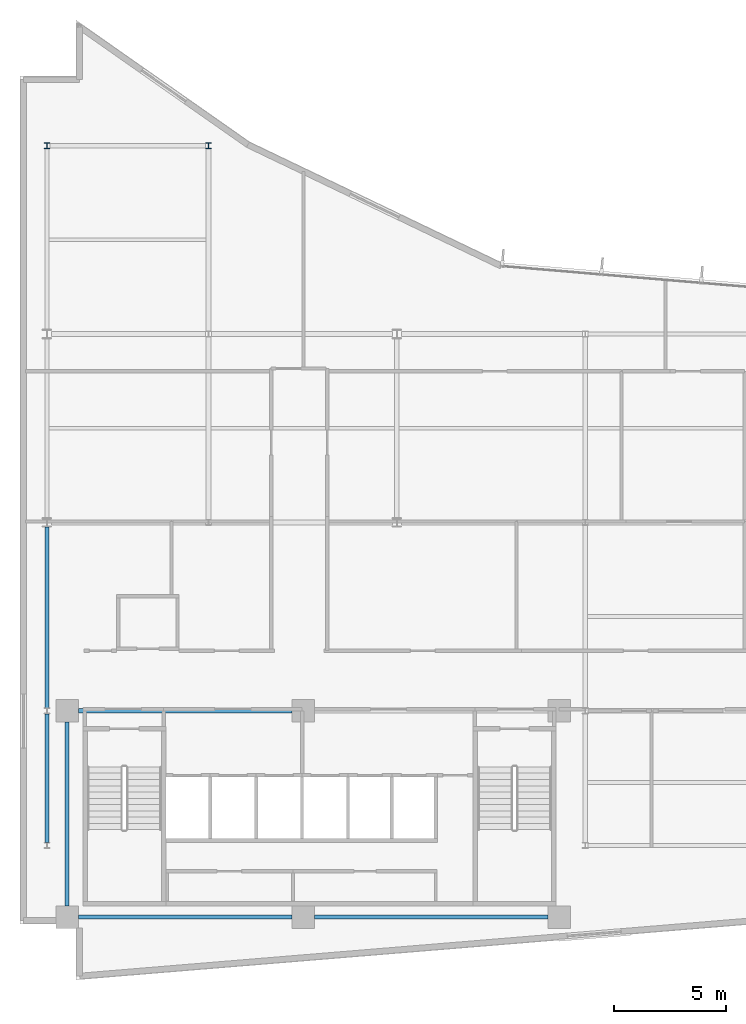
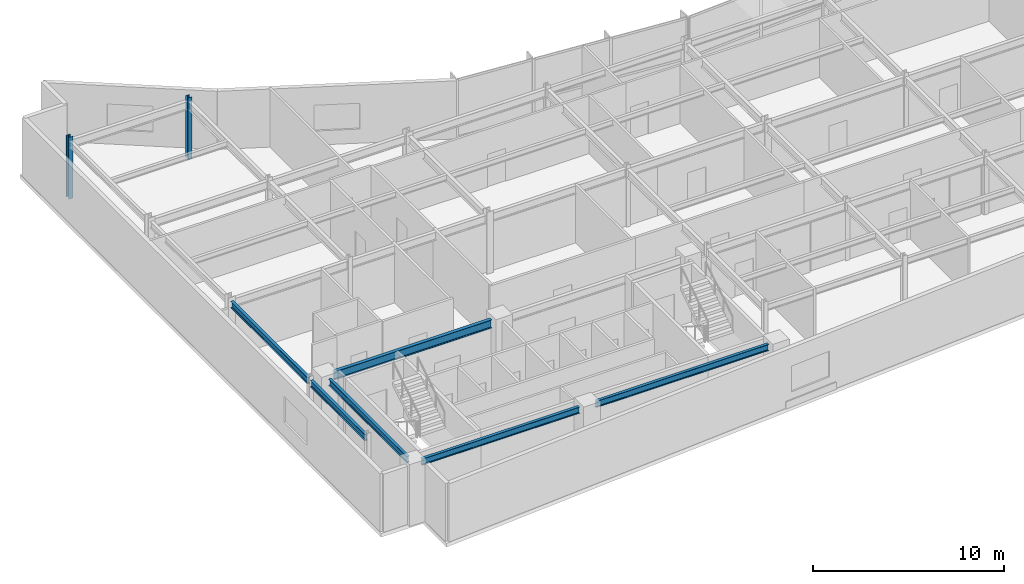
# One storey, part 3 of 14: 6 beams, 2 columns.
"""IFC4 building model written with IfcOpenShell, lengths in metres."""

from ifc_helpers import new_model, si_unit, direction, frame, origin, origin_2d, place, context, subcontext, project, spatial, i_section, extrude, material, material_profile, profile_set, type_object, element, save


model = new_model("IFC4")

# Units and contexts
model_context = context("Model", 3, precision=1e-05, world=origin(), true_north=direction((0.0, 1.0)))
body_context = subcontext(model_context, "Body", "Model", "MODEL_VIEW")
ifc_project = project(units=[si_unit("LENGTHUNIT", "METRE"), si_unit("AREAUNIT", "SQUARE_METRE"), si_unit("VOLUMEUNIT", "CUBIC_METRE"), si_unit("PLANEANGLEUNIT", "RADIAN"), si_unit("MASSUNIT", "GRAM", prefix="KILO")], contexts=[model_context])

# Site, building, storey
site_placement = place(None, origin())
site = spatial("IfcSite", under=ifc_project, at=site_placement, CompositionType="ELEMENT")
building_placement = place(site_placement, origin())
building = spatial("IfcBuilding", under=site, at=building_placement, Name="Varnakote Quay Hospital", CompositionType="ELEMENT")
storey_placement = place(building_placement, frame((0.0, 0.0, 211.85009765625)))
storey = spatial("IfcBuildingStorey", under=building, at=storey_placement, Name="L52", CompositionType="ELEMENT", Elevation=211.85009765625)

# Columns
ifc_material_1 = material(Name="Structural steel AS/NZS 3679.1 Grade 350 L0 (fy 340 MPa)", Category="steel")
ifc_material_profile_1 = material_profile(ifc_material_1, i_section(OverallWidth=0.256103515625, OverallDepth=0.260009765625, WebThickness=0.010498046875, FlangeThickness=0.017333984375, FilletRadius=0.0126953125, at=origin_2d()), Name="250UC89.5")
ifc_profile_set_1 = profile_set([ifc_material_profile_1], Name="Structural steel AS/NZS 3679.1 Grade 350 L0 (fy 340 MPa)")
column_type = type_object("IfcColumnType", Name="COL-STL-250UC89-5", PredefinedType="COLUMN", material=ifc_profile_set_1)
for number, where, z_axis, x_axis, name in (
    (1, (1.199951171875, 37.199951171875, 0.0), (0.0, 0.0, 1.0), (1.0, 0.0, 0.0), "L52 Structural Column C-1-37"),
    (2, (8.39990234375, 37.199951171875, 0.0), (0.0, 0.0, 1.0), (1.0, 0.0, 0.0), "L52 Structural Column C-8-37"),
):
    element("IfcColumn", number, at=place(storey_placement, frame(where, z_axis=z_axis, x_axis=x_axis)), inside=storey, type_object=column_type, Name=name, PredefinedType="COLUMN", context=body_context, shape_type="SweptSolid", body=[
        extrude(i_section(OverallWidth=0.256103515625, OverallDepth=0.260009765625, WebThickness=0.010498046875, FlangeThickness=0.017333984375, FilletRadius=0.0126953125, at=origin_2d()), origin(), (0.0, 0.0, 1.0), 3.949951171875),
    ])

# Beams
ifc_material_2 = material(Name="Structural steel AS/NZS 3679.1 Grade 350 L0 (fy 340 MPa)", Category="steel")
ifc_material_profile_2 = material_profile(ifc_material_2, i_section(OverallWidth=0.208984375, OverallDepth=0.532958984375, WebThickness=0.01025390625, FlangeThickness=0.015625, FilletRadius=0.013916015625, at=origin_2d()), Name="530UB92.4")
ifc_profile_set_2 = profile_set([ifc_material_profile_2], Name="Structural steel AS/NZS 3679.1 Grade 350 L0 (fy 340 MPa)")
beam_type_1 = type_object("IfcBeamType", Name="BM-STL-530UB92-4", PredefinedType="BEAM", material=ifc_profile_set_2)
beam_1_placement = place(storey_placement, frame((2.60009765625, 12.0, 3.443359375), z_axis=(1.0, 0.0, 0.0), x_axis=(0.0, 1.0, 0.0)))
element("IfcBeam", 3, at=beam_1_placement, inside=storey, type_object=beam_type_1, Name="L52 Primary Floor Beam", PredefinedType="BEAM", context=body_context, shape_type="SweptSolid", body=[
    extrude(i_section(OverallWidth=0.208984375, OverallDepth=0.532958984375, WebThickness=0.01025390625, FlangeThickness=0.015625, FilletRadius=0.013916015625, at=origin_2d()), origin(), (0.0, 0.0, 1.0), 9.52001953125),
])
ifc_material_3 = material(Name="Structural steel AS/NZS 3679.1 Grade 350 L0 (fy 340 MPa)", Category="steel")
ifc_material_profile_3 = material_profile(ifc_material_3, i_section(OverallWidth=0.177978515625, OverallDepth=0.403076171875, WebThickness=0.007568359375, FlangeThickness=0.010986328125, FilletRadius=0.011474609375, at=origin_2d()), Name="410UB53.7")
ifc_profile_set_3 = profile_set([ifc_material_profile_3], Name="Structural steel AS/NZS 3679.1 Grade 350 L0 (fy 340 MPa)")
beam_type_2 = type_object("IfcBeamType", Name="SPN-STL-410UB53-7", PredefinedType="SPANDREL", material=ifc_profile_set_3)
beam_2_placement = place(storey_placement, frame((1.199951171875, 6.1298828125, 3.50830078125), z_axis=(0.0, 1.0, 0.0), x_axis=(-1.0, 0.0, 0.0)))
element("IfcBeam", 4, at=beam_2_placement, inside=storey, type_object=beam_type_2, Name="L52 Perimeter Spandrel Beam", PredefinedType="SPANDREL", context=body_context, shape_type="SweptSolid", body=[
    extrude(i_section(OverallWidth=0.177978515625, OverallDepth=0.403076171875, WebThickness=0.007568359375, FlangeThickness=0.010986328125, FilletRadius=0.011474609375, at=origin_2d()), origin(), (0.0, 0.0, 1.0), 5.740234375),
])
beam_3_placement = place(storey_placement, frame((1.199951171875, 12.1298828125, 3.50830078125), z_axis=(0.0, 1.0, 0.0), x_axis=(-1.0, 0.0, 0.0)))
element("IfcBeam", 5, at=beam_3_placement, inside=storey, type_object=beam_type_2, Name="L52 Perimeter Spandrel Beam", PredefinedType="SPANDREL", context=body_context, shape_type="SweptSolid", body=[
    extrude(i_section(OverallWidth=0.177978515625, OverallDepth=0.403076171875, WebThickness=0.007568359375, FlangeThickness=0.010986328125, FilletRadius=0.011474609375, at=origin_2d()), origin(), (0.0, 0.0, 1.0), 8.068115234375),
])
beam_4_placement = place(storey_placement, frame((2.10009765625, 3.300048828125, 3.50830078125), z_axis=(0.0, 1.0, 0.0), x_axis=(-1.0, 0.0, 0.0)))
element("IfcBeam", 6, at=beam_4_placement, inside=storey, type_object=beam_type_2, Name="L52 Perimeter Spandrel Beam", PredefinedType="SPANDREL", context=body_context, shape_type="SweptSolid", body=[
    extrude(i_section(OverallWidth=0.177978515625, OverallDepth=0.403076171875, WebThickness=0.007568359375, FlangeThickness=0.010986328125, FilletRadius=0.011474609375, at=origin_2d()), origin(), (0.0, 0.0, 1.0), 8.199951171875),
])
ifc_material_4 = material(Name="Structural steel AS/NZS 3679.1 Grade 350 L0 (fy 340 MPa)", Category="steel")
ifc_material_profile_4 = material_profile(ifc_material_4, i_section(OverallWidth=0.177978515625, OverallDepth=0.406005859375, WebThickness=0.0078125, FlangeThickness=0.0126953125, FilletRadius=0.011474609375, at=origin_2d()), Name="410UB59.7")
ifc_profile_set_4 = profile_set([ifc_material_profile_4], Name="Structural steel AS/NZS 3679.1 Grade 350 L0 (fy 340 MPa)")
beam_type_3 = type_object("IfcBeamType", Name="SPN-STL-410UB59-7", PredefinedType="SPANDREL", material=ifc_profile_set_4)
beam_5_placement = place(storey_placement, frame((2.60009765625, 2.800048828125, 3.5068359375), z_axis=(1.0, 0.0, 0.0), x_axis=(0.0, 1.0, 0.0)))
element("IfcBeam", 7, at=beam_5_placement, inside=storey, type_object=beam_type_3, Name="L52 Perimeter Spandrel Beam", PredefinedType="SPANDREL", context=body_context, shape_type="SweptSolid", body=[
    extrude(i_section(OverallWidth=0.177978515625, OverallDepth=0.406005859375, WebThickness=0.0078125, FlangeThickness=0.0126953125, FilletRadius=0.011474609375, at=origin_2d()), origin(), (0.0, 0.0, 1.0), 9.52001953125),
])
beam_6_placement = place(storey_placement, frame((13.1201171875, 2.800048828125, 3.5068359375), z_axis=(1.0, 0.0, 0.0), x_axis=(0.0, 1.0, 0.0)))
element("IfcBeam", 8, at=beam_6_placement, inside=storey, type_object=beam_type_3, Name="L52 Perimeter Spandrel Beam", PredefinedType="SPANDREL", context=body_context, shape_type="SweptSolid", body=[
    extrude(i_section(OverallWidth=0.177978515625, OverallDepth=0.406005859375, WebThickness=0.0078125, FlangeThickness=0.0126953125, FilletRadius=0.011474609375, at=origin_2d()), origin(), (0.0, 0.0, 1.0), 10.429931640625),
])

save(model, "model.ifc")
